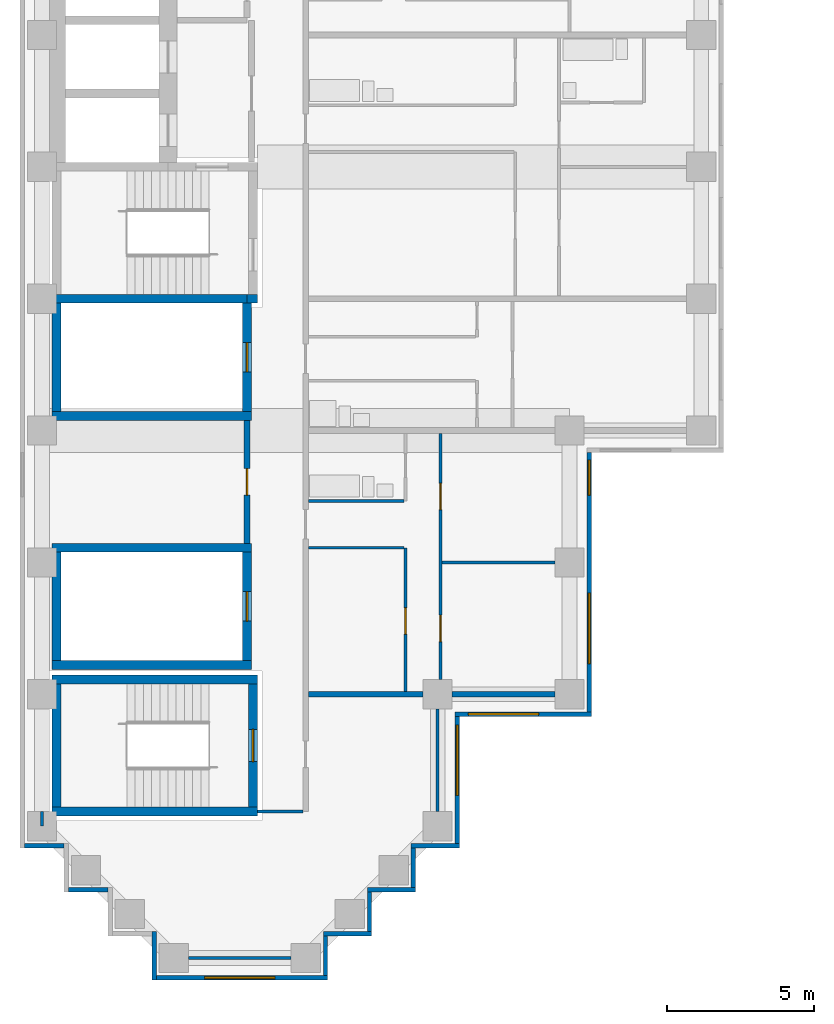
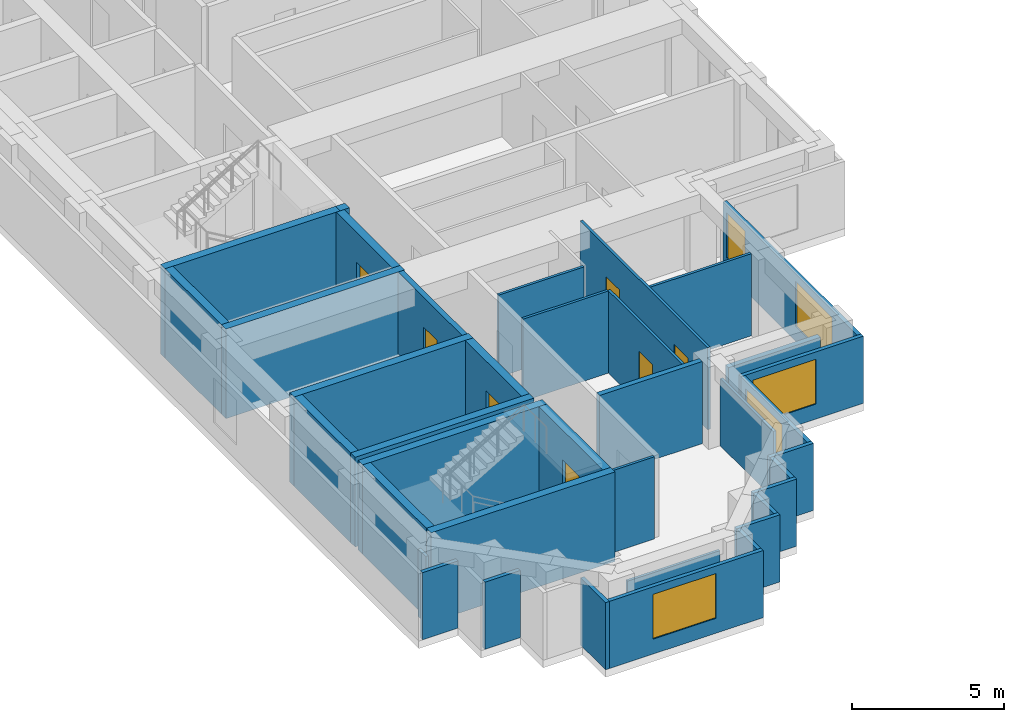
# One storey, part 2 of 12: 38 walls, 7 doors, 5 windows, 12 openings.
"""IFC4 building model written with IfcOpenShell, lengths in metres."""

from ifc_helpers import new_model, si_unit, direction, frame, frame_2d, origin, place, context, subcontext, project, spatial, rectangle, extrude, material, layer, layer_set, type_object, element, fill, save


model = new_model("IFC4")

# Units and contexts
model_context = context("Model", 3, precision=1e-05, world=origin(), true_north=direction((0.0, 1.0)))
body_context = subcontext(model_context, "Body", "Model", "MODEL_VIEW")
ifc_project = project(units=[si_unit("LENGTHUNIT", "METRE"), si_unit("AREAUNIT", "SQUARE_METRE"), si_unit("VOLUMEUNIT", "CUBIC_METRE"), si_unit("PLANEANGLEUNIT", "RADIAN"), si_unit("MASSUNIT", "GRAM", prefix="KILO")], contexts=[model_context])

# Site, building, storey
site_placement = place(None, origin())
site = spatial("IfcSite", under=ifc_project, at=site_placement, CompositionType="ELEMENT")
building_placement = place(site_placement, origin())
building = spatial("IfcBuilding", under=site, at=building_placement, Name="Firuza Court", CompositionType="ELEMENT")
storey_placement = place(building_placement, frame((0.0, 0.0, 155.60009765625)))
storey = spatial("IfcBuildingStorey", under=building, at=storey_placement, Name="L39", CompositionType="ELEMENT", Elevation=155.60009765625)

# Walls
ifc_material_1 = material(Name="Moisture-resistant gypsum board partition")
ifc_layer_1 = layer(ifc_material_1, 0.10009765625)
ifc_layer_set_1 = layer_set([ifc_layer_1], Name="Moisture-resistant gypsum board partition")
wall_type_1 = type_object("IfcWallType", Name="Bathroom partition 100", PredefinedType="PLUMBINGWALL", material=ifc_layer_set_1)
wall_1_placement = place(storey_placement, frame((9.10009765625, 15.60009765625, 0.0), z_axis=(0.0, 0.0, 1.0), x_axis=(1.0, 0.0, 0.0)))
element("IfcWall", 1, at=wall_1_placement, inside=storey, type_object=wall_type_1, Name="Bathroom partition 100 L39", PredefinedType="PLUMBINGWALL", context=body_context, shape_type="SweptSolid", body=[
    extrude(rectangle(XDim=3.25, YDim=0.10009765625, at=frame_2d((1.625, 0.0))), origin(), (0.0, 0.0, 1.0), 3.2998046875),
])
ifc_material_2 = material(Name="Concrete C60/75", Category="concrete")
ifc_layer_2 = layer(ifc_material_2, 0.300048828125)
ifc_layer_set_2 = layer_set([ifc_layer_2], Name="Concrete C60/75")
wall_type_2 = type_object("IfcWallType", Name="Core wall 300 C60/75", PredefinedType="SHEAR", material=ifc_layer_set_2)
for number, where, z_axis, x_axis, name in (
    (2, (0.35009765625, 5.0, -0.300048828125), (0.0, 0.0, 1.0), (1.0, 0.0, 0.0), "Core wall stair L39"),
    (3, (0.35009765625, 9.5, -0.300048828125), (0.0, 0.0, 1.0), (1.0, 0.0, 0.0), "Core wall stair L39"),
):
    element("IfcWall", number, at=place(storey_placement, frame(where, z_axis=z_axis, x_axis=x_axis)), inside=storey, type_object=wall_type_2, Name=name, PredefinedType="SHEAR", context=body_context, shape_type="SweptSolid", body=[
        extrude(rectangle(XDim=7.0, YDim=0.300048828125, at=frame_2d((3.5, 0.0))), origin(), (0.0, 0.0, 1.0), 3.599853515625),
    ])
for number, where, z_axis, x_axis, name in (
    (4, (0.35009765625, 10.0, -0.300048828125), (0.0, 0.0, 1.0), (1.0, 0.0, 0.0), "Core wall riser L39"),
    (5, (0.35009765625, 14.0, -0.300048828125), (0.0, 0.0, 1.0), (1.0, 0.0, 0.0), "Core wall riser L39"),
    (6, (0.35009765625, 18.5, -0.300048828125), (0.0, 0.0, 1.0), (1.0, 0.0, 0.0), "Core wall riser L39"),
):
    element("IfcWall", number, at=place(storey_placement, frame(where, z_axis=z_axis, x_axis=x_axis)), inside=storey, type_object=wall_type_2, Name=name, PredefinedType="SHEAR", context=body_context, shape_type="SweptSolid", body=[
        extrude(rectangle(XDim=6.7998046875, YDim=0.300048828125, at=frame_2d((3.39990234375, 0.0))), origin(), (0.0, 0.0, 1.0), 3.599853515625),
    ])
wall_2_placement = place(storey_placement, frame((0.35009765625, 22.5, -0.300048828125), z_axis=(0.0, 0.0, 1.0), x_axis=(1.0, 0.0, 0.0)))
element("IfcWall", 7, at=wall_2_placement, inside=storey, type_object=wall_type_2, Name="Core wall riser L39", PredefinedType="SHEAR", context=body_context, shape_type="SweptSolid", body=[
    extrude(rectangle(XDim=6.64990234375, YDim=0.300048828125, at=frame_2d((3.324951171875, 0.0))), origin(), (0.0, 0.0, 1.0), 3.599853515625),
])
wall_3_placement = place(storey_placement, frame((0.5, 5.14990234375, -0.300048828125), z_axis=(0.0, 0.0, 1.0), x_axis=(0.0, 1.0, 0.0)))
element("IfcWall", 8, at=wall_3_placement, inside=storey, type_object=wall_type_2, Name="Core wall stair L39", PredefinedType="SHEAR", context=body_context, shape_type="SweptSolid", body=[
    extrude(rectangle(XDim=4.2001953125, YDim=0.300048828125, at=frame_2d((2.10009765625, 0.0))), origin(), (0.0, 0.0, 1.0), 3.599853515625),
])
for number, where, z_axis, x_axis, name in (
    (9, (0.5, 10.14990234375, -0.300048828125), (0.0, 0.0, 1.0), (0.0, 1.0, 0.0), "Core wall riser L39"),
    (10, (0.5, 18.64990234375, -0.300048828125), (0.0, 0.0, 1.0), (0.0, 1.0, 0.0), "Core wall riser L39"),
):
    element("IfcWall", number, at=place(storey_placement, frame(where, z_axis=z_axis, x_axis=x_axis)), inside=storey, type_object=wall_type_2, Name=name, PredefinedType="SHEAR", context=body_context, shape_type="SweptSolid", body=[
        extrude(rectangle(XDim=3.7001953125, YDim=0.300048828125, at=frame_2d((1.85009765625, 0.0))), origin(), (0.0, 0.0, 1.0), 3.599853515625),
    ])

# Wall, opening, door
wall_4_placement = place(storey_placement, frame((7.0, 10.14990234375, -0.300048828125), z_axis=(0.0, 0.0, 1.0), x_axis=(0.0, 1.0, 0.0)))
wall_4 = element("IfcWall", 11, at=wall_4_placement, inside=storey, type_object=wall_type_2, Name="Core wall riser L39", PredefinedType="SHEAR", context=body_context, shape_type="SweptSolid", body=[
    extrude(rectangle(XDim=3.7001953125, YDim=0.300048828125, at=frame_2d((1.85009765625, 0.0))), origin(), (0.0, 0.0, 1.0), 3.599853515625),
])
opening_1_placement = place(wall_4_placement, frame((1.35009765625, 0.0, 0.300048828125)))
opening_1 = element("IfcOpeningElement", 12, at=opening_1_placement, cuts=wall_4, Name="Opening D39011", PredefinedType="OPENING", context=body_context, shape_type="SweptSolid", body=[
    extrude(rectangle(XDim=1.0, YDim=2.10009765625, at=frame_2d((0.5, 1.050048828125))), frame((0.0, 0.162109375, 0.0), z_axis=(0.0, -1.0, 0.0), x_axis=(1.0, 0.0, 0.0)), (0.0, 0.0, 1.0), 0.323974609375),
])
ifc_material_3 = material(Name="Timber door leaf in hardwood frame", Category="wood")
door_type_1 = type_object("IfcDoorType", Name="Riser door 1000", OperationType="SINGLE_SWING_LEFT", PredefinedType="DOOR", material=ifc_material_3)
door_1_placement = place(opening_1_placement, origin())
door_1 = element("IfcDoor", 13, at=door_1_placement, inside=storey, type_object=door_type_1, Name="Riser door R4", OperationType="SINGLE_SWING_LEFT", OverallHeight=2.10009765625, OverallWidth=1.0, PredefinedType="DOOR", context=body_context, shape_type="SweptSolid", body=[
    extrude(rectangle(XDim=1.0, YDim=2.10009765625, at=frame_2d((0.5, 1.050048828125))), frame((0.0, 0.02490234375, 0.0), z_axis=(0.0, -1.0, 0.0), x_axis=(1.0, 0.0, 0.0)), (0.0, 0.0, 1.0), 0.050048828125),
])
fill(opening_1, door_1)

wall_5_placement = place(storey_placement, frame((7.0, 18.64990234375, -0.300048828125), z_axis=(0.0, 0.0, 1.0), x_axis=(0.0, 1.0, 0.0)))
wall_5 = element("IfcWall", 14, at=wall_5_placement, inside=storey, type_object=wall_type_2, Name="Core wall riser L39", PredefinedType="SHEAR", context=body_context, shape_type="SweptSolid", body=[
    extrude(rectangle(XDim=3.7001953125, YDim=0.300048828125, at=frame_2d((1.85009765625, 0.0))), origin(), (0.0, 0.0, 1.0), 3.599853515625),
])
opening_2_placement = place(wall_5_placement, frame((1.35009765625, 0.0, 0.300048828125)))
opening_2 = element("IfcOpeningElement", 15, at=opening_2_placement, cuts=wall_5, Name="Opening D39009", PredefinedType="OPENING", context=body_context, shape_type="SweptSolid", body=[
    extrude(rectangle(XDim=1.0, YDim=2.10009765625, at=frame_2d((0.5, 1.050048828125))), frame((0.0, 0.162109375, 0.0), z_axis=(0.0, -1.0, 0.0), x_axis=(1.0, 0.0, 0.0)), (0.0, 0.0, 1.0), 0.323974609375),
])
door_2_placement = place(opening_2_placement, origin())
door_2 = element("IfcDoor", 16, at=door_2_placement, inside=storey, type_object=door_type_1, Name="Riser door R1", OperationType="SINGLE_SWING_LEFT", OverallHeight=2.10009765625, OverallWidth=1.0, PredefinedType="DOOR", context=body_context, shape_type="SweptSolid", body=[
    extrude(rectangle(XDim=1.0, YDim=2.10009765625, at=frame_2d((0.5, 1.050048828125))), frame((0.0, 0.02490234375, 0.0), z_axis=(0.0, -1.0, 0.0), x_axis=(1.0, 0.0, 0.0)), (0.0, 0.0, 1.0), 0.050048828125),
])
fill(opening_2, door_2)

# Wall
wall_6_placement = place(storey_placement, frame((7.0, 22.5, -0.300048828125), z_axis=(0.0, 0.0, 1.0), x_axis=(1.0, 0.0, 0.0)))
element("IfcWall", 17, at=wall_6_placement, inside=storey, type_object=wall_type_2, Name="Core wall stair L39", PredefinedType="SHEAR", context=body_context, shape_type="SweptSolid", body=[
    extrude(rectangle(XDim=0.35009765625, YDim=0.300048828125, at=frame_2d((0.175048828125, 0.0))), origin(), (0.0, 0.0, 1.0), 3.599853515625),
])

# Wall, opening, door
wall_7_placement = place(storey_placement, frame((7.199951171875, 5.14990234375, -0.300048828125), z_axis=(0.0, 0.0, 1.0), x_axis=(0.0, 1.0, 0.0)))
wall_7 = element("IfcWall", 18, at=wall_7_placement, inside=storey, type_object=wall_type_2, Name="Core wall stair L39", PredefinedType="SHEAR", context=body_context, shape_type="SweptSolid", body=[
    extrude(rectangle(XDim=4.2001953125, YDim=0.300048828125, at=frame_2d((2.10009765625, 0.0))), origin(), (0.0, 0.0, 1.0), 3.599853515625),
])
opening_3_placement = place(wall_7_placement, frame((1.550048828125, 0.0, 0.300048828125)))
opening_3 = element("IfcOpeningElement", 19, at=opening_3_placement, cuts=wall_7, Name="Opening D39017", PredefinedType="OPENING", context=body_context, shape_type="SweptSolid", body=[
    extrude(rectangle(XDim=1.10009765625, YDim=2.10009765625, at=frame_2d((0.550048828125, 1.050048828125))), frame((0.0, 0.162109375, 0.0), z_axis=(0.0, -1.0, 0.0), x_axis=(1.0, 0.0, 0.0)), (0.0, 0.0, 1.0), 0.323974609375),
])
ifc_material_4 = material(Name="Timber door leaf in hardwood frame", Category="wood")
door_type_2 = type_object("IfcDoorType", Name="Stair door 1100", OperationType="SINGLE_SWING_LEFT", PredefinedType="DOOR", material=ifc_material_4)
door_3_placement = place(opening_3_placement, origin())
door_3 = element("IfcDoor", 20, at=door_3_placement, inside=storey, type_object=door_type_2, Name="Stair door S5", OperationType="SINGLE_SWING_LEFT", OverallHeight=2.10009765625, OverallWidth=1.10009765625, PredefinedType="DOOR", context=body_context, shape_type="SweptSolid", body=[
    extrude(rectangle(XDim=1.10009765625, YDim=2.10009765625, at=frame_2d((0.550048828125, 1.050048828125))), frame((0.0, 0.02490234375, 0.0), z_axis=(0.0, -1.0, 0.0), x_axis=(1.0, 0.0, 0.0)), (0.0, 0.0, 1.0), 0.050048828125),
])
fill(opening_3, door_3)

ifc_material_5 = material(Name="Blockwork, plastered both sides", Category="masonry")
ifc_layer_3 = layer(ifc_material_5, 0.199951171875)
ifc_layer_set_3 = layer_set([ifc_layer_3], Name="Blockwork, plastered both sides")
wall_type_3 = type_object("IfcWallType", Name="Corridor wall 200", PredefinedType="PARTITIONING", material=ifc_layer_set_3)
wall_8_placement = place(storey_placement, frame((7.0, 14.14990234375, 0.0), z_axis=(0.0, 0.0, 1.0), x_axis=(0.0, 1.0, 0.0)))
wall_8 = element("IfcWall", 21, at=wall_8_placement, inside=storey, type_object=wall_type_3, Name="Corridor wall 200 L39", PredefinedType="PARTITIONING", context=body_context, shape_type="SweptSolid", body=[
    extrude(rectangle(XDim=4.2001953125, YDim=0.199951171875, at=frame_2d((2.10009765625, 0.0))), origin(), (0.0, 0.0, 1.0), 3.2998046875),
])
opening_4_placement = place(wall_8_placement, frame((1.64990234375, 0.0, 0.0)))
opening_4 = element("IfcOpeningElement", 22, at=opening_4_placement, cuts=wall_8, Name="Opening D39025", PredefinedType="OPENING", context=body_context, shape_type="SweptSolid", body=[
    extrude(rectangle(XDim=0.89990234375, YDim=2.10009765625, at=frame_2d((0.449951171875, 1.050048828125))), frame((0.0, 0.11181640625, 0.0), z_axis=(0.0, -1.0, 0.0), x_axis=(1.0, 0.0, 0.0)), (0.0, 0.0, 1.0), 0.223876953125),
])
ifc_material_6 = material(Name="Timber door leaf in hardwood frame", Category="wood")
door_type_3 = type_object("IfcDoorType", Name="Room door 900 EI 30", OperationType="SINGLE_SWING_LEFT", PredefinedType="DOOR", material=ifc_material_6)
door_4_placement = place(opening_4_placement, origin())
door_4 = element("IfcDoor", 23, at=door_4_placement, inside=storey, type_object=door_type_3, Name="Meeting room door", OperationType="SINGLE_SWING_LEFT", OverallHeight=2.10009765625, OverallWidth=0.89990234375, PredefinedType="DOOR", context=body_context, shape_type="SweptSolid", body=[
    extrude(rectangle(XDim=0.89990234375, YDim=2.10009765625, at=frame_2d((0.449951171875, 1.050048828125))), frame((0.0, 0.02490234375, 0.0), z_axis=(0.0, -1.0, 0.0), x_axis=(1.0, 0.0, 0.0)), (0.0, 0.0, 1.0), 0.050048828125),
])
fill(opening_4, door_4)

# Walls
ifc_material_7 = material(Name="Timber stud partition, plasterboard both sides", Category="wood")
ifc_layer_4 = layer(ifc_material_7, 0.10009765625)
ifc_layer_set_4 = layer_set([ifc_layer_4], Name="Timber stud partition, plasterboard both sides")
wall_type_4 = type_object("IfcWallType", Name="Partition wall 100", PredefinedType="PARTITIONING", material=ifc_layer_set_4)
wall_9_placement = place(storey_placement, frame((5.0, 0.0, 0.0), z_axis=(0.0, 0.0, 1.0), x_axis=(1.0, 0.0, 0.0)))
element("IfcWall", 24, at=wall_9_placement, inside=storey, type_object=wall_type_4, Name="Partition wall 100 L39", PredefinedType="PARTITIONING", context=body_context, shape_type="SweptSolid", body=[
    extrude(rectangle(XDim=3.5, YDim=0.10009765625, at=frame_2d((1.75, 0.0))), origin(), (0.0, 0.0, 1.0), 2.699951171875),
])
wall_10_placement = place(storey_placement, frame((0.0, 4.5, 0.0), z_axis=(0.0, 0.0, 1.0), x_axis=(0.0, 1.0, 0.0)))
element("IfcWall", 25, at=wall_10_placement, inside=storey, type_object=wall_type_4, Name="Partition wall 100 L39", PredefinedType="PARTITIONING", context=body_context, shape_type="SweptSolid", body=[
    extrude(rectangle(XDim=0.5, YDim=0.10009765625, at=frame_2d((0.25, 0.0))), origin(), (0.0, 0.0, 1.0), 2.699951171875),
])
wall_11_placement = place(storey_placement, frame((7.34912109375, 5.0, 0.0), z_axis=(0.0, 0.0, 1.0), x_axis=(1.0, 0.0, 0.0)))
element("IfcWall", 26, at=wall_11_placement, inside=storey, type_object=wall_type_4, Name="Partition wall 100 L39", PredefinedType="PARTITIONING", context=body_context, shape_type="SweptSolid", body=[
    extrude(rectangle(XDim=1.55078125, YDim=0.10009765625, at=frame_2d((0.775390625, 0.0))), origin(), (0.0, 0.0, 1.0), 3.2998046875),
])
wall_12_placement = place(storey_placement, frame((13.5, 5.0, 0.0), z_axis=(0.0, 0.0, 1.0), x_axis=(0.0, 1.0, 0.0)))
element("IfcWall", 27, at=wall_12_placement, inside=storey, type_object=wall_type_4, Name="Partition wall 100 L39", PredefinedType="PARTITIONING", context=body_context, shape_type="SweptSolid", body=[
    extrude(rectangle(XDim=3.5, YDim=0.10009765625, at=frame_2d((1.75, 0.0))), origin(), (0.0, 0.0, 1.0), 2.699951171875),
])

# Wall, opening, door
wall_13_placement = place(storey_placement, frame((12.39990234375, 9.10009765625, 0.0), z_axis=(0.0, 0.0, 1.0), x_axis=(0.0, 1.0, 0.0)))
wall_13 = element("IfcWall", 28, at=wall_13_placement, inside=storey, type_object=wall_type_4, Name="Partition wall 100 L39", PredefinedType="PARTITIONING", context=body_context, shape_type="SweptSolid", body=[
    extrude(rectangle(XDim=4.89990234375, YDim=0.10009765625, at=frame_2d((2.449951171875, 0.0))), origin(), (0.0, 0.0, 1.0), 3.2998046875),
])
opening_5_placement = place(wall_13_placement, frame((1.949951171875, 0.0, 0.0)))
opening_5 = element("IfcOpeningElement", 29, at=opening_5_placement, cuts=wall_13, Name="Opening D39022", PredefinedType="OPENING", context=body_context, shape_type="SweptSolid", body=[
    extrude(rectangle(XDim=0.89990234375, YDim=2.10009765625, at=frame_2d((0.449951171875, 1.050048828125))), frame((0.0, 0.06201171875, 0.0), z_axis=(0.0, -1.0, 0.0), x_axis=(1.0, 0.0, 0.0)), (0.0, 0.0, 1.0), 0.1240234375),
])
ifc_material_8 = material(Name="Timber door leaf in hardwood frame", Category="wood")
door_type_4 = type_object("IfcDoorType", Name="Room door 900", OperationType="SINGLE_SWING_LEFT", PredefinedType="DOOR", material=ifc_material_8)
door_5_placement = place(opening_5_placement, origin())
door_5 = element("IfcDoor", 30, at=door_5_placement, inside=storey, type_object=door_type_4, Name="Kitchen door", OperationType="SINGLE_SWING_LEFT", OverallHeight=2.10009765625, OverallWidth=0.89990234375, PredefinedType="DOOR", context=body_context, shape_type="SweptSolid", body=[
    extrude(rectangle(XDim=0.89990234375, YDim=2.10009765625, at=frame_2d((0.449951171875, 1.050048828125))), frame((0.0, 0.02490234375, 0.0), z_axis=(0.0, -1.0, 0.0), x_axis=(1.0, 0.0, 0.0)), (0.0, 0.0, 1.0), 0.050048828125),
])
fill(opening_5, door_5)

# Wall, openings, doors
wall_14_placement = place(storey_placement, frame((13.60009765625, 9.5, 0.0), z_axis=(0.0, 0.0, 1.0), x_axis=(0.0, 1.0, 0.0)))
wall_14 = element("IfcWall", 31, at=wall_14_placement, inside=storey, type_object=wall_type_4, Name="Partition wall 100 L39", PredefinedType="PARTITIONING", context=body_context, shape_type="SweptSolid", body=[
    extrude(rectangle(XDim=8.39990234375, YDim=0.10009765625, at=frame_2d((4.199951171875, 0.0))), origin(), (0.0, 0.0, 1.0), 3.2998046875),
])
opening_6_placement = place(wall_14_placement, frame((1.300048828125, 0.0, 0.0)))
opening_6 = element("IfcOpeningElement", 32, at=opening_6_placement, cuts=wall_14, Name="Opening D39023", PredefinedType="OPENING", context=body_context, shape_type="SweptSolid", body=[
    extrude(rectangle(XDim=0.89990234375, YDim=2.10009765625, at=frame_2d((0.449951171875, 1.050048828125))), frame((0.0, 0.06201171875, 0.0), z_axis=(0.0, -1.0, 0.0), x_axis=(1.0, 0.0, 0.0)), (0.0, 0.0, 1.0), 0.1240234375),
])
opening_7_placement = place(wall_14_placement, frame((5.800048828125, 0.0, 0.0)))
opening_7 = element("IfcOpeningElement", 33, at=opening_7_placement, cuts=wall_14, Name="Opening D39024", PredefinedType="OPENING", context=body_context, shape_type="SweptSolid", body=[
    extrude(rectangle(XDim=0.89990234375, YDim=2.10009765625, at=frame_2d((0.449951171875, 1.050048828125))), frame((0.0, 0.06201171875, 0.0), z_axis=(0.0, -1.0, 0.0), x_axis=(1.0, 0.0, 0.0)), (0.0, 0.0, 1.0), 0.1240234375),
])
door_6_placement = place(opening_6_placement, frame((0.89990234375, 0.0, 0.0), z_axis=(0.0, 0.0, 1.0), x_axis=(-1.0, 0.0, 0.0)))
door_6 = element("IfcDoor", 34, at=door_6_placement, inside=storey, type_object=door_type_4, Name="Living room door", OperationType="SINGLE_SWING_RIGHT", OverallHeight=2.10009765625, OverallWidth=0.89990234375, PredefinedType="DOOR", context=body_context, shape_type="SweptSolid", body=[
    extrude(rectangle(XDim=0.89990234375, YDim=2.10009765625, at=frame_2d((0.449951171875, 1.050048828125))), frame((0.0, 0.02490234375, 0.0), z_axis=(0.0, -1.0, 0.0), x_axis=(1.0, 0.0, 0.0)), (0.0, 0.0, 1.0), 0.050048828125),
])
fill(opening_6, door_6)
door_7_placement = place(opening_7_placement, frame((0.89990234375, 0.0, 0.0), z_axis=(0.0, 0.0, 1.0), x_axis=(-1.0, 0.0, 0.0)))
door_7 = element("IfcDoor", 35, at=door_7_placement, inside=storey, type_object=door_type_4, Name="Bedroom door", OperationType="SINGLE_SWING_RIGHT", OverallHeight=2.10009765625, OverallWidth=0.89990234375, PredefinedType="DOOR", context=body_context, shape_type="SweptSolid", body=[
    extrude(rectangle(XDim=0.89990234375, YDim=2.10009765625, at=frame_2d((0.449951171875, 1.050048828125))), frame((0.0, 0.02490234375, 0.0), z_axis=(0.0, -1.0, 0.0), x_axis=(1.0, 0.0, 0.0)), (0.0, 0.0, 1.0), 0.050048828125),
])
fill(opening_7, door_7)

# Walls
wall_15_placement = place(storey_placement, frame((13.64990234375, 13.5, 0.0), z_axis=(0.0, 0.0, 1.0), x_axis=(1.0, 0.0, 0.0)))
element("IfcWall", 36, at=wall_15_placement, inside=storey, type_object=wall_type_4, Name="Partition wall 100 L39", PredefinedType="PARTITIONING", context=body_context, shape_type="SweptSolid", body=[
    extrude(rectangle(XDim=3.85009765625, YDim=0.10009765625, at=frame_2d((1.925048828125, 0.0))), origin(), (0.0, 0.0, 1.0), 3.2998046875),
])
wall_16_placement = place(storey_placement, frame((9.10009765625, 14.0, 0.0), z_axis=(0.0, 0.0, 1.0), x_axis=(1.0, 0.0, 0.0)))
element("IfcWall", 37, at=wall_16_placement, inside=storey, type_object=wall_type_4, Name="Partition wall 100 L39", PredefinedType="PARTITIONING", context=body_context, shape_type="SweptSolid", body=[
    extrude(rectangle(XDim=3.25, YDim=0.10009765625, at=frame_2d((1.625, 0.0))), origin(), (0.0, 0.0, 1.0), 3.2998046875),
])
ifc_layer_5 = layer(ifc_material_5, 0.199951171875)
ifc_layer_set_5 = layer_set([ifc_layer_5], Name="Blockwork, plastered both sides")
wall_type_5 = type_object("IfcWallType", Name="Party wall 200", PredefinedType="PARTITIONING", material=ifc_layer_set_5)
wall_17_placement = place(storey_placement, frame((9.10009765625, 9.0, 0.0), z_axis=(0.0, 0.0, 1.0), x_axis=(1.0, 0.0, 0.0)))
element("IfcWall", 38, at=wall_17_placement, inside=storey, type_object=wall_type_5, Name="Party wall 200 L39", PredefinedType="PARTITIONING", context=body_context, shape_type="SweptSolid", body=[
    extrude(rectangle(XDim=3.89990234375, YDim=0.199951171875, at=frame_2d((1.949951171875, 0.0))), origin(), (0.0, 0.0, 1.0), 3.2998046875),
])
wall_18_placement = place(storey_placement, frame((14.0, 9.0, 0.0), z_axis=(0.0, 0.0, 1.0), x_axis=(1.0, 0.0, 0.0)))
element("IfcWall", 39, at=wall_18_placement, inside=storey, type_object=wall_type_5, Name="Party wall 200 L39", PredefinedType="PARTITIONING", context=body_context, shape_type="SweptSolid", body=[
    extrude(rectangle(XDim=3.5, YDim=0.199951171875, at=frame_2d((1.75, 0.0))), origin(), (0.0, 0.0, 1.0), 2.699951171875),
])
ifc_material_9 = material(Name="Ceramic tile", Category="ceramic")
ifc_layer_6 = layer(ifc_material_9, 0.02001953125)
ifc_material_10 = material(Name="Mineral wool insulation", Category="insulation")
ifc_layer_7 = layer(ifc_material_10, 0.050048828125)
ifc_material_11 = material(Name="Concrete C40/50 precast", Category="concrete")
ifc_layer_8 = layer(ifc_material_11, 0.080078125)
ifc_layer_set_6 = layer_set([ifc_layer_6, ifc_layer_7, ifc_layer_8], Name="Concrete C40/50 precast")
wall_type_6 = type_object("IfcWallType", Name="Precast cladding wall with turquoise TILE PANEL face 150", PredefinedType="STANDARD", material=ifc_layer_set_6)
wall_19_placement = place(storey_placement, frame((9.675048828125, -0.60009765625, 0.0), z_axis=(0.0, 0.0, 1.0), x_axis=(0.0, 1.0, 0.0)))
element("IfcWall", 40, at=wall_19_placement, inside=storey, type_object=wall_type_6, Name="Facade wall L39 E", PredefinedType="STANDARD", context=body_context, shape_type="SweptSolid", body=[
    extrude(rectangle(XDim=1.35009765625, YDim=0.14990234375, at=frame_2d((0.675048828125, 0.0))), origin(), (0.0, 0.0, 1.0), 2.699951171875),
])
wall_20_placement = place(storey_placement, frame((9.60009765625, 0.824951171875, 0.0), z_axis=(0.0, 0.0, 1.0), x_axis=(1.0, 0.0, 0.0)))
element("IfcWall", 41, at=wall_20_placement, inside=storey, type_object=wall_type_6, Name="Facade wall L39 S", PredefinedType="STANDARD", context=body_context, shape_type="SweptSolid", body=[
    extrude(rectangle(XDim=1.64990234375, YDim=0.14990234375, at=frame_2d((0.824951171875, 0.0))), origin(), (0.0, 0.0, 1.0), 2.699951171875),
])
wall_21_placement = place(storey_placement, frame((11.175048828125, 0.89990234375, 0.0), z_axis=(0.0, 0.0, 1.0), x_axis=(0.0, 1.0, 0.0)))
element("IfcWall", 42, at=wall_21_placement, inside=storey, type_object=wall_type_6, Name="Facade wall L39 E", PredefinedType="STANDARD", context=body_context, shape_type="SweptSolid", body=[
    extrude(rectangle(XDim=1.35009765625, YDim=0.14990234375, at=frame_2d((0.675048828125, 0.0))), origin(), (0.0, 0.0, 1.0), 2.699951171875),
])
wall_22_placement = place(storey_placement, frame((11.10009765625, 2.324951171875, 0.0), z_axis=(0.0, 0.0, 1.0), x_axis=(1.0, 0.0, 0.0)))
element("IfcWall", 43, at=wall_22_placement, inside=storey, type_object=wall_type_6, Name="Facade wall L39 S", PredefinedType="STANDARD", context=body_context, shape_type="SweptSolid", body=[
    extrude(rectangle(XDim=1.64990234375, YDim=0.14990234375, at=frame_2d((0.824951171875, 0.0))), origin(), (0.0, 0.0, 1.0), 2.699951171875),
])
wall_23_placement = place(storey_placement, frame((12.675048828125, 2.39990234375, 0.0), z_axis=(0.0, 0.0, 1.0), x_axis=(0.0, 1.0, 0.0)))
element("IfcWall", 44, at=wall_23_placement, inside=storey, type_object=wall_type_6, Name="Facade wall L39 E", PredefinedType="STANDARD", context=body_context, shape_type="SweptSolid", body=[
    extrude(rectangle(XDim=1.35009765625, YDim=0.14990234375, at=frame_2d((0.675048828125, 0.0))), origin(), (0.0, 0.0, 1.0), 2.699951171875),
])
wall_24_placement = place(storey_placement, frame((12.60009765625, 3.824951171875, 0.0), z_axis=(0.0, 0.0, 1.0), x_axis=(1.0, 0.0, 0.0)))
element("IfcWall", 45, at=wall_24_placement, inside=storey, type_object=wall_type_6, Name="Facade wall L39 S", PredefinedType="STANDARD", context=body_context, shape_type="SweptSolid", body=[
    extrude(rectangle(XDim=1.64990234375, YDim=0.14990234375, at=frame_2d((0.824951171875, 0.0))), origin(), (0.0, 0.0, 1.0), 2.699951171875),
])

# Wall, opening, window
wall_25_placement = place(storey_placement, frame((14.175048828125, 3.89990234375, 0.0), z_axis=(0.0, 0.0, 1.0), x_axis=(0.0, 1.0, 0.0)))
wall_25 = element("IfcWall", 46, at=wall_25_placement, inside=storey, type_object=wall_type_6, Name="Facade wall L39 E", PredefinedType="STANDARD", context=body_context, shape_type="SweptSolid", body=[
    extrude(rectangle(XDim=4.35009765625, YDim=0.14990234375, at=frame_2d((2.175048828125, 0.0))), origin(), (0.0, 0.0, 1.0), 2.699951171875),
])
opening_8_placement = place(wall_25_placement, frame((1.64990234375, 0.0, 0.60009765625)))
opening_8 = element("IfcOpeningElement", 47, at=opening_8_placement, cuts=wall_25, Name="Opening W1", PredefinedType="OPENING", context=body_context, shape_type="SweptSolid", body=[
    extrude(rectangle(XDim=2.39990234375, YDim=1.800048828125, at=frame_2d((1.199951171875, 0.89990234375))), frame((0.0, 0.0869140625, 0.0), z_axis=(0.0, -1.0, 0.0), x_axis=(1.0, 0.0, 0.0)), (0.0, 0.0, 1.0), 0.173828125),
])
ifc_material_12 = material(Name="Aluminium frame, triple clear glazing", Category="aluminium")
window_type_1 = type_object("IfcWindowType", Name="Window W1 2400 x 1800", PartitioningType="SINGLE_PANEL", PredefinedType="WINDOW", material=ifc_material_12)
window_1_placement = place(opening_8_placement, origin())
window_1 = element("IfcWindow", 48, at=window_1_placement, inside=storey, type_object=window_type_1, Name="Window L39", OverallHeight=1.800048828125, OverallWidth=2.39990234375, PartitioningType="SINGLE_PANEL", PredefinedType="WINDOW", context=body_context, shape_type="SweptSolid", body=[
    extrude(rectangle(XDim=2.39990234375, YDim=1.800048828125, at=frame_2d((1.199951171875, 0.89990234375))), frame((0.0, 0.030029296875, 0.0), z_axis=(0.0, -1.0, 0.0), x_axis=(1.0, 0.0, 0.0)), (0.0, 0.0, 1.0), 0.06005859375),
])
fill(opening_8, window_1)

wall_26_placement = place(storey_placement, frame((14.10009765625, 8.324951171875, 0.0), z_axis=(0.0, 0.0, 1.0), x_axis=(1.0, 0.0, 0.0)))
wall_26 = element("IfcWall", 49, at=wall_26_placement, inside=storey, type_object=wall_type_6, Name="Facade wall L39 S", PredefinedType="STANDARD", context=body_context, shape_type="SweptSolid", body=[
    extrude(rectangle(XDim=4.64990234375, YDim=0.14990234375, at=frame_2d((2.324951171875, 0.0))), origin(), (0.0, 0.0, 1.0), 2.699951171875),
])
opening_9_placement = place(wall_26_placement, frame((0.449951171875, 0.0, 0.60009765625)))
opening_9 = element("IfcOpeningElement", 50, at=opening_9_placement, cuts=wall_26, Name="Opening W1", PredefinedType="OPENING", context=body_context, shape_type="SweptSolid", body=[
    extrude(rectangle(XDim=2.39990234375, YDim=1.800048828125, at=frame_2d((1.199951171875, 0.89990234375))), frame((0.0, 0.0869140625, 0.0), z_axis=(0.0, -1.0, 0.0), x_axis=(1.0, 0.0, 0.0)), (0.0, 0.0, 1.0), 0.173828125),
])
window_2_placement = place(opening_9_placement, origin())
window_2 = element("IfcWindow", 51, at=window_2_placement, inside=storey, type_object=window_type_1, Name="Window L39", OverallHeight=1.800048828125, OverallWidth=2.39990234375, PartitioningType="SINGLE_PANEL", PredefinedType="WINDOW", context=body_context, shape_type="SweptSolid", body=[
    extrude(rectangle(XDim=2.39990234375, YDim=1.800048828125, at=frame_2d((1.199951171875, 0.89990234375))), frame((0.0, 0.030029296875, 0.0), z_axis=(0.0, -1.0, 0.0), x_axis=(1.0, 0.0, 0.0)), (0.0, 0.0, 1.0), 0.06005859375),
])
fill(opening_9, window_2)

# Wall, openings, windows
wall_27_placement = place(storey_placement, frame((18.675048828125, 8.39990234375, 0.0), z_axis=(0.0, 0.0, 1.0), x_axis=(0.0, 1.0, 0.0)))
wall_27 = element("IfcWall", 52, at=wall_27_placement, inside=storey, type_object=wall_type_6, Name="Facade wall L39 E", PredefinedType="STANDARD", context=body_context, shape_type="SweptSolid", body=[
    extrude(rectangle(XDim=8.85009765625, YDim=0.14990234375, at=frame_2d((4.425048828125, 0.0))), origin(), (0.0, 0.0, 1.0), 2.699951171875),
])
opening_10_placement = place(wall_27_placement, frame((1.64990234375, 0.0, 0.60009765625)))
opening_10 = element("IfcOpeningElement", 53, at=opening_10_placement, cuts=wall_27, Name="Opening W1", PredefinedType="OPENING", context=body_context, shape_type="SweptSolid", body=[
    extrude(rectangle(XDim=2.39990234375, YDim=1.800048828125, at=frame_2d((1.199951171875, 0.89990234375))), frame((0.0, 0.0869140625, 0.0), z_axis=(0.0, -1.0, 0.0), x_axis=(1.0, 0.0, 0.0)), (0.0, 0.0, 1.0), 0.173828125),
])
opening_11_placement = place(wall_27_placement, frame((7.394775390625, 0.0, 0.60009765625)))
opening_11 = element("IfcOpeningElement", 54, at=opening_11_placement, cuts=wall_27, Name="Opening W8", PredefinedType="OPENING", context=body_context, shape_type="SweptSolid", body=[
    extrude(rectangle(XDim=1.199951171875, YDim=1.800048828125, at=frame_2d((0.60009765625, 0.89990234375))), frame((0.0, 0.0869140625, 0.0), z_axis=(0.0, -1.0, 0.0), x_axis=(1.0, 0.0, 0.0)), (0.0, 0.0, 1.0), 0.173828125),
])
window_3_placement = place(opening_10_placement, origin())
window_3 = element("IfcWindow", 55, at=window_3_placement, inside=storey, type_object=window_type_1, Name="Window L39", OverallHeight=1.800048828125, OverallWidth=2.39990234375, PartitioningType="SINGLE_PANEL", PredefinedType="WINDOW", context=body_context, shape_type="SweptSolid", body=[
    extrude(rectangle(XDim=2.39990234375, YDim=1.800048828125, at=frame_2d((1.199951171875, 0.89990234375))), frame((0.0, 0.030029296875, 0.0), z_axis=(0.0, -1.0, 0.0), x_axis=(1.0, 0.0, 0.0)), (0.0, 0.0, 1.0), 0.06005859375),
])
fill(opening_10, window_3)
ifc_material_13 = material(Name="Aluminium frame, triple clear glazing", Category="aluminium")
window_type_2 = type_object("IfcWindowType", Name="Window W8 1200 x 1800", PartitioningType="SINGLE_PANEL", PredefinedType="WINDOW", material=ifc_material_13)
window_4_placement = place(opening_11_placement, origin())
window_4 = element("IfcWindow", 56, at=window_4_placement, inside=storey, type_object=window_type_2, Name="Window L39", OverallHeight=1.800048828125, OverallWidth=1.199951171875, PartitioningType="SINGLE_PANEL", PredefinedType="WINDOW", context=body_context, shape_type="SweptSolid", body=[
    extrude(rectangle(XDim=1.199951171875, YDim=1.800048828125, at=frame_2d((0.60009765625, 0.89990234375))), frame((0.0, 0.030029296875, 0.0), z_axis=(0.0, -1.0, 0.0), x_axis=(1.0, 0.0, 0.0)), (0.0, 0.0, 1.0), 0.06005859375),
])
fill(opening_11, window_4)

# Walls
for number, where, z_axis, x_axis, name in (
    (57, (-0.60009765625, 3.824951171875, 0.0), (0.0, 0.0, 1.0), (1.0, 0.0, 0.0), "Facade wall L39 S"),
    (58, (0.89990234375, 2.324951171875, 0.0), (0.0, 0.0, 1.0), (1.0, 0.0, 0.0), "Facade wall L39 S"),
):
    element("IfcWall", number, at=place(storey_placement, frame(where, z_axis=z_axis, x_axis=x_axis)), inside=storey, type_object=wall_type_6, Name=name, PredefinedType="STANDARD", context=body_context, shape_type="SweptSolid", body=[
        extrude(rectangle(XDim=1.35009765625, YDim=0.14990234375, at=frame_2d((0.675048828125, 0.0))), origin(), (0.0, 0.0, 1.0), 2.699951171875),
    ])
wall_28_placement = place(storey_placement, frame((3.824951171875, 0.89990234375, 0.0), z_axis=(0.0, 0.0, 1.0), x_axis=(0.0, -1.0, 0.0)))
element("IfcWall", 59, at=wall_28_placement, inside=storey, type_object=wall_type_6, Name="Facade wall L39 W", PredefinedType="STANDARD", context=body_context, shape_type="SweptSolid", body=[
    extrude(rectangle(XDim=1.64990234375, YDim=0.14990234375, at=frame_2d((0.824951171875, 0.0))), origin(), (0.0, 0.0, 1.0), 2.699951171875),
])

# Wall, opening, window
wall_29_placement = place(storey_placement, frame((3.89990234375, -0.675048828125, 0.0), z_axis=(0.0, 0.0, 1.0), x_axis=(1.0, 0.0, 0.0)))
wall_29 = element("IfcWall", 60, at=wall_29_placement, inside=storey, type_object=wall_type_6, Name="Facade wall L39 S", PredefinedType="STANDARD", context=body_context, shape_type="SweptSolid", body=[
    extrude(rectangle(XDim=5.85009765625, YDim=0.14990234375, at=frame_2d((2.925048828125, 0.0))), origin(), (0.0, 0.0, 1.0), 2.699951171875),
])
opening_12_placement = place(wall_29_placement, frame((1.64990234375, 0.0, 0.60009765625)))
opening_12 = element("IfcOpeningElement", 61, at=opening_12_placement, cuts=wall_29, Name="Opening W1", PredefinedType="OPENING", context=body_context, shape_type="SweptSolid", body=[
    extrude(rectangle(XDim=2.39990234375, YDim=1.800048828125, at=frame_2d((1.199951171875, 0.89990234375))), frame((0.0, 0.0869140625, 0.0), z_axis=(0.0, -1.0, 0.0), x_axis=(1.0, 0.0, 0.0)), (0.0, 0.0, 1.0), 0.173828125),
])
window_5_placement = place(opening_12_placement, origin())
window_5 = element("IfcWindow", 62, at=window_5_placement, inside=storey, type_object=window_type_1, Name="Window L39", OverallHeight=1.800048828125, OverallWidth=2.39990234375, PartitioningType="SINGLE_PANEL", PredefinedType="WINDOW", context=body_context, shape_type="SweptSolid", body=[
    extrude(rectangle(XDim=2.39990234375, YDim=1.800048828125, at=frame_2d((1.199951171875, 0.89990234375))), frame((0.0, 0.030029296875, 0.0), z_axis=(0.0, -1.0, 0.0), x_axis=(1.0, 0.0, 0.0)), (0.0, 0.0, 1.0), 0.06005859375),
])
fill(opening_12, window_5)

save(model, "model.ifc")
